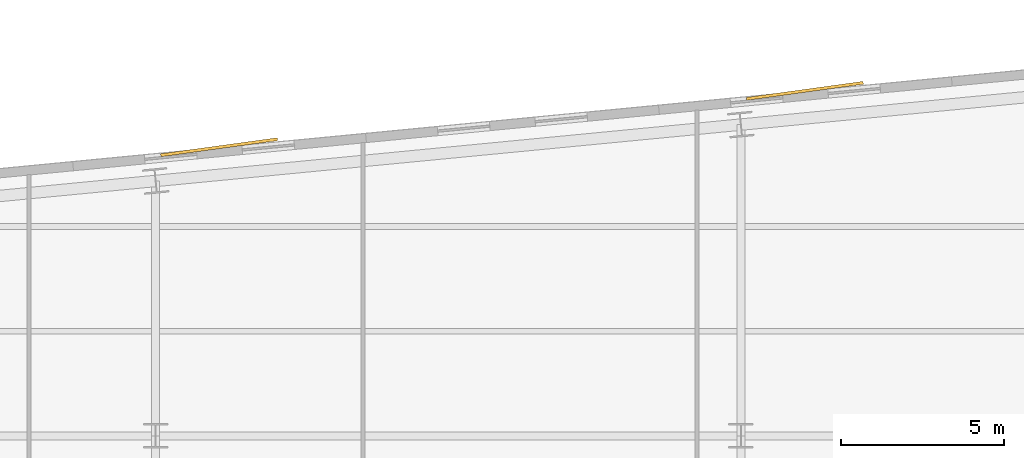
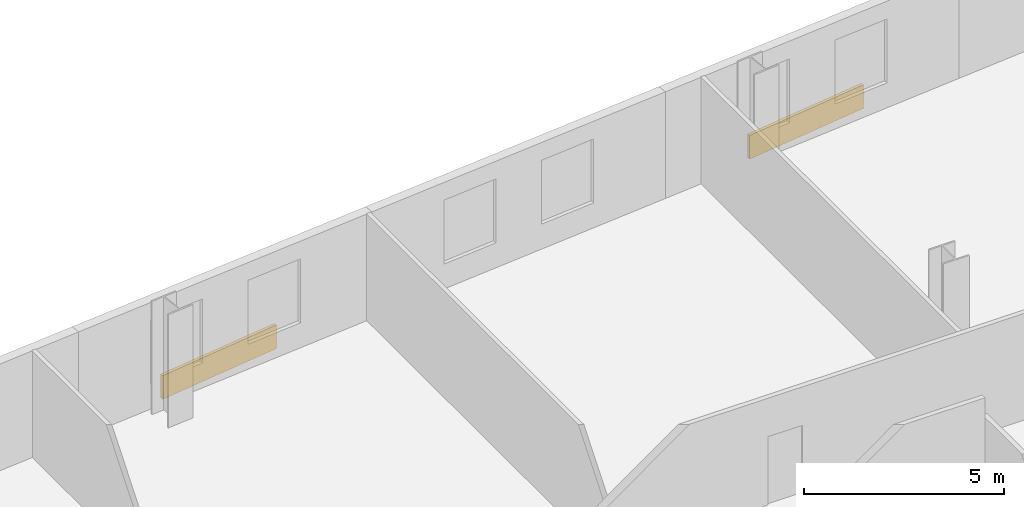
# One storey, part 11 of 11: 2 coverings.
"""IFC4 building model written with IfcOpenShell, lengths in metres."""

from ifc_helpers import new_model, si_unit, direction, frame, origin, origin_2d, place, context, subcontext, project, spatial, rectangle, extrude, material, layer, layer_set, type_object, element, save


model = new_model("IFC4")

# Units and contexts
model_context = context("Model", 3, precision=1e-05, world=origin(), true_north=direction((0.0, 1.0)))
body_context = subcontext(model_context, "Body", "Model", "MODEL_VIEW")
ifc_project = project(units=[si_unit("LENGTHUNIT", "METRE"), si_unit("AREAUNIT", "SQUARE_METRE"), si_unit("VOLUMEUNIT", "CUBIC_METRE"), si_unit("PLANEANGLEUNIT", "RADIAN"), si_unit("MASSUNIT", "GRAM", prefix="KILO")], contexts=[model_context])

# Site, building, storey
site_placement = place(None, origin())
site = spatial("IfcSite", under=ifc_project, at=site_placement, CompositionType="ELEMENT")
building_placement = place(site_placement, origin())
building = spatial("IfcBuilding", under=site, at=building_placement, Name="Velakula Bourse", CompositionType="ELEMENT")
storey_placement = place(building_placement, frame((0.0, 0.0, 105.25)))
storey = spatial("IfcBuildingStorey", under=building, at=storey_placement, Name="L28", CompositionType="ELEMENT", Elevation=105.25)

# Coverings
ifc_material = material(Name="Buff kilned clay facing brick masonry", Category="masonry")
ifc_layer = layer(ifc_material, 0.074951171875, Name="Buff kilned clay facing brick masonry", Category="masonry")
ifc_layer_set = layer_set([ifc_layer], Name="Buff kilned clay facing brick masonry")
covering_type = type_object("IfcCoveringType", Name="COV-BRK-SPN-75", PredefinedType="CLADDING", material=ifc_layer_set)
for number, where, z_axis, x_axis, name in (
    (1, (-7.0087890625, 23.428955078125, 0.0), (0.0, 0.0, 1.0), (0.990629029058, 0.136580111242, 0.0), "L28 Folded Brick Facade Cladding Panel N-B2"),
    (2, (10.908447265625, 25.154052734375, 0.0), (0.0, 0.0, 1.0), (0.990629029058, 0.136580111242, 0.0), "L28 Folded Brick Facade Cladding Panel N-B4"),
):
    element("IfcCovering", number, at=place(storey_placement, frame(where, z_axis=z_axis, x_axis=x_axis)), inside=storey, type_object=covering_type, Name=name, PredefinedType="CLADDING", context=body_context, shape_type="SweptSolid", body=[
        extrude(rectangle(XDim=3.60009765625, YDim=0.090087890625, at=origin_2d()), origin(), (0.0, 0.0, 1.0), 0.719970703125),
    ])

save(model, "model.ifc")
